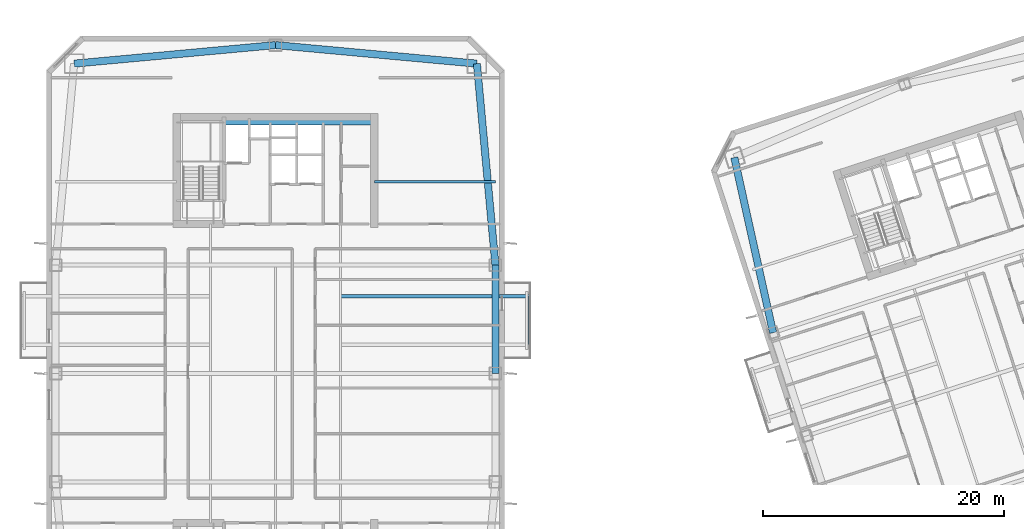
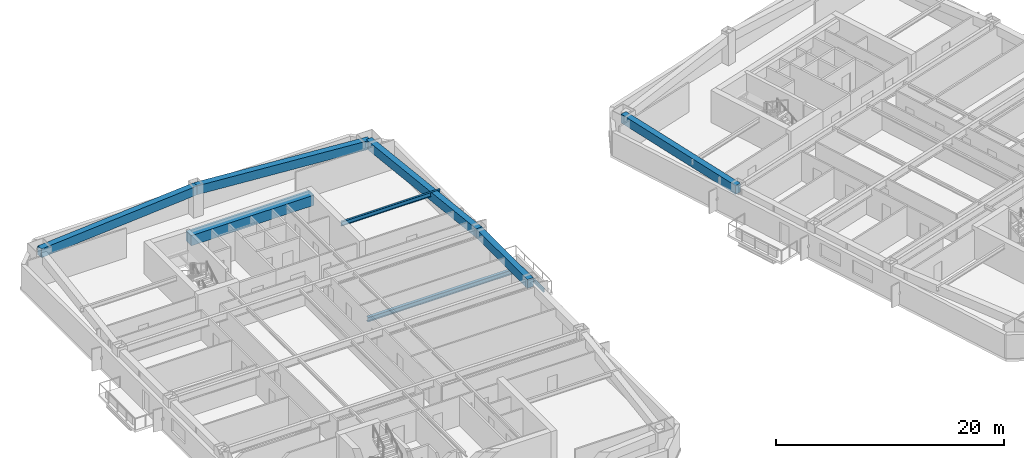
# One storey, part 6 of 23: 9 beams.
"""IFC4 building model written with IfcOpenShell, lengths in metres."""

from ifc_helpers import new_model, si_unit, direction, frame, origin, origin_2d, place, context, subcontext, project, spatial, rectangle, i_section, extrude, material, material_profile, profile_set, type_object, element, save


model = new_model("IFC4")

# Units and contexts
model_context = context("Model", 3, precision=1e-05, world=origin(), true_north=direction((0.0, 1.0)))
body_context = subcontext(model_context, "Body", "Model", "MODEL_VIEW")
ifc_project = project(units=[si_unit("LENGTHUNIT", "METRE"), si_unit("AREAUNIT", "SQUARE_METRE"), si_unit("VOLUMEUNIT", "CUBIC_METRE"), si_unit("PLANEANGLEUNIT", "RADIAN"), si_unit("MASSUNIT", "GRAM", prefix="KILO")], contexts=[model_context])

# Site, building, storey
site_placement = place(None, origin())
site = spatial("IfcSite", under=ifc_project, at=site_placement, CompositionType="ELEMENT")
building_placement = place(site_placement, origin())
building = spatial("IfcBuilding", under=site, at=building_placement, Name="Qiaolan Cultural Towers", CompositionType="ELEMENT")
storey_placement = place(building_placement, frame((0.0, 0.0, 100.050048828125)))
storey = spatial("IfcBuildingStorey", under=building, at=storey_placement, Name="L25", CompositionType="ELEMENT", Elevation=100.050048828125)

# Beams
ifc_material_1 = material(Name="Steel Q355B", Category="steel")
ifc_material_profile_1 = material_profile(ifc_material_1, i_section(OverallWidth=0.300048828125, OverallDepth=0.488037109375, WebThickness=0.010986328125, FlangeThickness=0.01806640625, at=origin_2d()), Name="HM488x300x11x18")
ifc_profile_set_1 = profile_set([ifc_material_profile_1], Name="Steel Q355B")
beam_type_1 = type_object("IfcBeamType", Name="BM-HM488x300x11x18", PredefinedType="BEAM", material=ifc_profile_set_1)
beam_1_placement = place(storey_placement, frame((35.39990234375, 40.39990234375, -0.524169921875), z_axis=(1.0, 0.0, 0.0), x_axis=(0.0, 1.0, 0.0)))
element("IfcBeam", 1, at=beam_1_placement, inside=storey, type_object=beam_type_1, Name="L25 T1 Tree Balcony Back-Spanned Bracket Beam", PredefinedType="BEAM", context=body_context, shape_type="SweptSolid", body=[
    extrude(i_section(OverallWidth=0.300048828125, OverallDepth=0.488037109375, WebThickness=0.010986328125, FlangeThickness=0.01806640625, at=origin_2d()), origin(), (0.0, 0.0, 1.0), 15.650146484375),
])
ifc_material_2 = material(Name="Steel Q355B", Category="steel")
ifc_material_profile_2 = material_profile(ifc_material_2, i_section(OverallWidth=0.175048828125, OverallDepth=0.35009765625, WebThickness=0.007080078125, FlangeThickness=0.010986328125, at=origin_2d()), Name="HN350x175x7x11")
ifc_profile_set_2 = profile_set([ifc_material_profile_2], Name="Steel Q355B")
beam_type_2 = type_object("IfcBeamType", Name="BM-JST-HN350x175x7x11", PredefinedType="JOIST", material=ifc_profile_set_2)
beam_2_placement = place(storey_placement, frame((51.050048828125, 36.39990234375, -0.524169921875), z_axis=(0.0, 1.0, 0.0), x_axis=(-1.0, 0.0, 0.0)))
element("IfcBeam", 2, at=beam_2_placement, inside=storey, type_object=beam_type_2, Name="L25 T1 Tree Balcony Outer Edge Beam", PredefinedType="JOIST", context=body_context, shape_type="SweptSolid", body=[
    extrude(i_section(OverallWidth=0.175048828125, OverallDepth=0.35009765625, WebThickness=0.007080078125, FlangeThickness=0.010986328125, at=origin_2d()), origin(), (0.0, 0.0, 1.0), 4.0),
])
ifc_material_3 = material(Name="Steel Q355B", Category="steel")
ifc_material_profile_3 = material_profile(ifc_material_3, i_section(OverallWidth=0.199951171875, OverallDepth=0.449951171875, WebThickness=0.009033203125, FlangeThickness=0.013916015625, at=origin_2d()), Name="HN450x200x9x14")
ifc_profile_set_3 = profile_set([ifc_material_profile_3], Name="Steel Q355B")
beam_type_3 = type_object("IfcBeamType", Name="BM-LNT-HN450x200x9x14", PredefinedType="LINTEL", material=ifc_profile_set_3)
beam_3_placement = place(storey_placement, frame((38.199951171875, 49.89990234375, 2.96484375), z_axis=(1.0, 0.0, 0.0), x_axis=(0.0, 1.0, 0.0)))
element("IfcBeam", 3, at=beam_3_placement, inside=storey, type_object=beam_type_3, Name="L25 T1 Core Flank Tie Lintel EN", PredefinedType="LINTEL", context=body_context, shape_type="SweptSolid", body=[
    extrude(i_section(OverallWidth=0.199951171875, OverallDepth=0.449951171875, WebThickness=0.009033203125, FlangeThickness=0.013916015625, at=origin_2d()), origin(), (0.0, 0.0, 1.0), 10.050048828125),
])
ifc_material_4 = material(Name="Concrete C50", Category="concrete")
ifc_material_profile_4 = material_profile(ifc_material_4, rectangle(XDim=0.89990234375, YDim=1.10009765625, at=origin_2d()), Name="RC900x1100")
ifc_profile_set_4 = profile_set([ifc_material_profile_4], Name="Concrete C50")
beam_type_4 = type_object("IfcBeamType", Name="BM-RC900x1100", PredefinedType="BEAM", material=ifc_profile_set_4)
beam_4_placement = place(storey_placement, frame((25.719970703125, 55.050048828125, 2.639892578125), z_axis=(1.0, 0.0, 0.0), x_axis=(0.0, 1.0, 0.0)))
element("IfcBeam", 4, at=beam_4_placement, inside=storey, type_object=beam_type_4, Name="L25 T1 Core Header Girder N", PredefinedType="BEAM", context=body_context, shape_type="SweptSolid", body=[
    extrude(rectangle(XDim=0.89990234375, YDim=1.10009765625, at=origin_2d()), origin(), (0.0, 0.0, 1.0), 12.47998046875),
])
ifc_material_5 = material(Name="Concrete C50", Category="concrete")
ifc_material_profile_5 = material_profile(ifc_material_5, rectangle(XDim=0.60009765625, YDim=0.949951171875, at=origin_2d()), Name="RC600x950")
ifc_profile_set_5 = profile_set([ifc_material_profile_5], Name="Concrete C50")
beam_type_5 = type_object("IfcBeamType", Name="BM-SPD-RC600x950", PredefinedType="SPANDREL", material=ifc_profile_set_5)
beam_5_placement = place(storey_placement, frame((48.25, 34.0, 2.71484375), z_axis=(0.0, 1.0, 0.0), x_axis=(-1.0, 0.0, 0.0)))
element("IfcBeam", 5, at=beam_5_placement, inside=storey, type_object=beam_type_5, Name="L25 T1 Perimeter Spandrel Beam 5", PredefinedType="SPANDREL", context=body_context, shape_type="SweptSolid", body=[
    extrude(rectangle(XDim=0.60009765625, YDim=0.949951171875, at=origin_2d()), origin(), (0.0, 0.0, 1.0), 9.0),
])
for number, where, z_axis, x_axis, name in (
    (6, (48.25, 43.0, 2.71484375), (-0.09177399582, 0.995779862064, 0.0), (-0.995779862064, -0.09177399582, 0.0), "L25 T1 Perimeter Spandrel Beam 6"),
    (7, (46.7099609375, 59.7099609375, 2.71484375), (-0.995779862064, 0.09177399582, 0.0), (-0.09177399582, -0.995779862064, 0.0), "L25 T1 Perimeter Spandrel Beam 7"),
    (8, (30.0, 61.25, 2.71484375), (-0.995779862064, -0.09177399582, 0.0), (0.09177399582, -0.995779862064, 0.0), "L25 T1 Perimeter Spandrel Beam 8"),
):
    element("IfcBeam", number, at=place(storey_placement, frame(where, z_axis=z_axis, x_axis=x_axis)), inside=storey, type_object=beam_type_5, Name=name, PredefinedType="SPANDREL", context=body_context, shape_type="SweptSolid", body=[
        extrude(rectangle(XDim=0.60009765625, YDim=0.949951171875, at=origin_2d()), origin(), (0.0, 0.0, 1.0), 16.78076171875),
    ])
beam_6_placement = place(storey_placement, frame((68.069091796875, 51.919921875, 2.71484375), z_axis=(0.216237644833, -0.976340760676, 0.0), x_axis=(0.976340760676, 0.216237644833, 0.0)))
element("IfcBeam", 9, at=beam_6_placement, inside=storey, type_object=beam_type_5, Name="L25 T2 Perimeter Spandrel Beam 9", PredefinedType="SPANDREL", context=body_context, shape_type="SweptSolid", body=[
    extrude(rectangle(XDim=0.60009765625, YDim=0.949951171875, at=origin_2d()), origin(), (0.0, 0.0, 1.0), 14.888671875),
])

save(model, "model.ifc")
